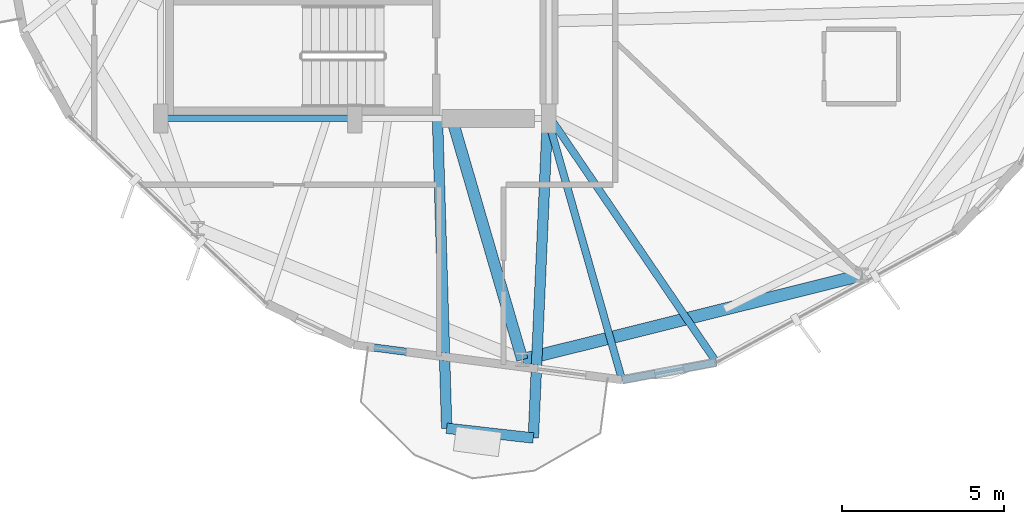
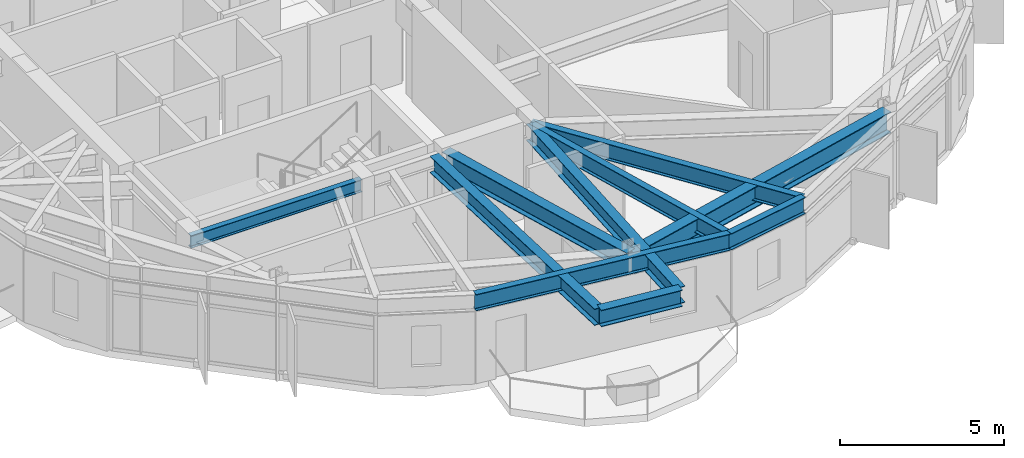
# One storey, part 4 of 23: 10 beams.
"""IFC4 building model written with IfcOpenShell, lengths in metres."""

from ifc_helpers import new_model, si_unit, direction, frame, origin, origin_2d, place, context, subcontext, project, spatial, i_section, extrude, material, material_profile, profile_set, type_object, element, save


model = new_model("IFC4")

# Units and contexts
model_context = context("Model", 3, precision=1e-05, world=origin(), true_north=direction((0.0, 1.0)))
body_context = subcontext(model_context, "Body", "Model", "MODEL_VIEW")
ifc_project = project(units=[si_unit("LENGTHUNIT", "METRE"), si_unit("AREAUNIT", "SQUARE_METRE"), si_unit("VOLUMEUNIT", "CUBIC_METRE"), si_unit("PLANEANGLEUNIT", "RADIAN"), si_unit("MASSUNIT", "GRAM", prefix="KILO")], contexts=[model_context])

# Site, building, storey
site_placement = place(None, origin())
site = spatial("IfcSite", under=ifc_project, at=site_placement, CompositionType="ELEMENT")
building_placement = place(site_placement, origin())
building = spatial("IfcBuilding", under=site, at=building_placement, Name="Soratama Intermodal Tower", CompositionType="ELEMENT")
storey_placement = place(building_placement, frame((0.0, 0.0, 139.0)))
storey = spatial("IfcBuildingStorey", under=building, at=storey_placement, Name="L33", CompositionType="ELEMENT", Elevation=139.0)

# Beams
ifc_material_1 = material(Name="Structural steel ASTM A992 Grade 50", Category="steel")
ifc_material_profile_1 = material_profile(ifc_material_1, i_section(OverallWidth=0.324951171875, OverallDepth=0.615966796875, WebThickness=0.013916015625, FlangeThickness=0.021484375, FilletRadius=0.013916015625, at=origin_2d()), Name="W24X117")
ifc_profile_set_1 = profile_set([ifc_material_profile_1], Name="Structural steel ASTM A992 Grade 50")
beam_type_1 = type_object("IfcBeamType", Name="BM-CANT-W24X117", PredefinedType="BEAM", material=ifc_profile_set_1)
beam_1_placement = place(storey_placement, frame((41.44189453125, 5.424072265625, 2.991943359375), z_axis=(0.993736978265, -0.111744431756, 0.0), x_axis=(0.111744431756, 0.993736978265, 0.0)))
element("IfcBeam", 1, at=beam_1_placement, inside=storey, type_object=beam_type_1, Name="BM-L33-CBHDR-4", PredefinedType="BEAM", context=body_context, shape_type="SweptSolid", body=[
    extrude(i_section(OverallWidth=0.324951171875, OverallDepth=0.615966796875, WebThickness=0.013916015625, FlangeThickness=0.021484375, FilletRadius=0.013916015625, at=origin_2d()), origin(), (0.0, 0.0, 1.0), 2.69384765625),
])
beam_2_placement = place(storey_placement, frame((41.158935546875, 14.9599609375, 2.991943359375), z_axis=(0.029660003905, -0.999560045304, 0.0), x_axis=(0.999560045304, 0.029660003905, 0.0)))
element("IfcBeam", 2, at=beam_2_placement, inside=storey, type_object=beam_type_1, Name="BM-L33-CANT-4-1", PredefinedType="BEAM", context=body_context, shape_type="SweptSolid", body=[
    extrude(i_section(OverallWidth=0.324951171875, OverallDepth=0.615966796875, WebThickness=0.013916015625, FlangeThickness=0.021484375, FilletRadius=0.013916015625, at=origin_2d()), origin(), (0.0, 0.0, 1.0), 9.5400390625),
])
beam_3_placement = place(storey_placement, frame((44.554931640625, 14.9599609375, 2.991943359375), z_axis=(-0.044282934257, -0.999019029715, 0.0), x_axis=(0.999019029715, -0.044282934257, 0.0)))
element("IfcBeam", 3, at=beam_3_placement, inside=storey, type_object=beam_type_1, Name="BM-L33-CANT-4-2", PredefinedType="BEAM", context=body_context, shape_type="SweptSolid", body=[
    extrude(i_section(OverallWidth=0.324951171875, OverallDepth=0.615966796875, WebThickness=0.013916015625, FlangeThickness=0.021484375, FilletRadius=0.013916015625, at=origin_2d()), origin(), (0.0, 0.0, 1.0), 9.8466796875),
])
ifc_material_2 = material(Name="Structural steel ASTM A992 Grade 50", Category="steel")
ifc_material_profile_2 = material_profile(ifc_material_2, i_section(OverallWidth=0.19091796875, OverallDepth=0.4599609375, WebThickness=0.010009765625, FlangeThickness=0.01611328125, FilletRadius=0.010986328125, at=origin_2d()), Name="W18X55")
ifc_profile_set_2 = profile_set([ifc_material_profile_2], Name="Structural steel ASTM A992 Grade 50")
beam_type_2 = type_object("IfcBeamType", Name="BM-FLR-W18X55", PredefinedType="BEAM", material=ifc_profile_set_2)
beam_4_placement = place(storey_placement, frame((32.60009765625, 15.0, 3.070068359375), z_axis=(1.0, 0.0, 0.0), x_axis=(0.0, 1.0, 0.0)))
element("IfcBeam", 4, at=beam_4_placement, inside=storey, type_object=beam_type_2, Name="BM-L33-CRING-01", PredefinedType="BEAM", context=body_context, shape_type="SweptSolid", body=[
    extrude(i_section(OverallWidth=0.19091796875, OverallDepth=0.4599609375, WebThickness=0.010009765625, FlangeThickness=0.01611328125, FilletRadius=0.010986328125, at=origin_2d()), origin(), (0.0, 0.0, 1.0), 6.0),
])
ifc_material_3 = material(Name="Structural steel ASTM A992 Grade 50", Category="steel")
ifc_material_profile_3 = material_profile(ifc_material_3, i_section(OverallWidth=0.35498046875, OverallDepth=0.695068359375, WebThickness=0.015380859375, FlangeThickness=0.02490234375, FilletRadius=0.01611328125, at=origin_2d()), Name="W27X146")
ifc_profile_set_3 = profile_set([ifc_material_profile_3], Name="Structural steel ASTM A992 Grade 50")
beam_type_3 = type_object("IfcBeamType", Name="BM-RING-W27X146", PredefinedType="BEAM", material=ifc_profile_set_3)
beam_5_placement = place(storey_placement, frame((41.60009765625, 15.0, 2.952392578125), z_axis=(0.280473008484, -0.959861912731, 0.0), x_axis=(0.959861912731, 0.280473008484, 0.0)))
element("IfcBeam", 5, at=beam_5_placement, inside=storey, type_object=beam_type_3, Name="BM-L33-RAD-08", PredefinedType="BEAM", context=body_context, shape_type="SweptSolid", body=[
    extrude(i_section(OverallWidth=0.35498046875, OverallDepth=0.695068359375, WebThickness=0.015380859375, FlangeThickness=0.02490234375, FilletRadius=0.01611328125, at=origin_2d()), origin(), (0.0, 0.0, 1.0), 7.768798828125),
])
ifc_material_4 = material(Name="Structural steel ASTM A992 Grade 50", Category="steel")
ifc_material_profile_4 = material_profile(ifc_material_4, i_section(OverallWidth=0.382080078125, OverallDepth=0.779052734375, WebThickness=0.01806640625, FlangeThickness=0.030029296875, FilletRadius=0.01806640625, at=origin_2d()), Name="W30X191")
ifc_profile_set_4 = profile_set([ifc_material_profile_4], Name="Structural steel ASTM A992 Grade 50")
beam_type_4 = type_object("IfcBeamType", Name="BM-RING-W30X191", PredefinedType="BEAM", material=ifc_profile_set_4)
beam_6_placement = place(storey_placement, frame((43.779052734375, 7.54296875, 2.910400390625), z_axis=(0.970310893227, 0.241861056155, 0.0), x_axis=(-0.241861056155, 0.970310893227, 0.0)))
element("IfcBeam", 6, at=beam_6_placement, inside=storey, type_object=beam_type_4, Name="BM-L33-RING-08", PredefinedType="BEAM", context=body_context, shape_type="SweptSolid", body=[
    extrude(i_section(OverallWidth=0.382080078125, OverallDepth=0.779052734375, WebThickness=0.01806640625, FlangeThickness=0.030029296875, FilletRadius=0.01806640625, at=origin_2d()), origin(), (0.0, 0.0, 1.0), 10.81591796875),
])
ifc_material_5 = material(Name="Structural steel ASTM A992 Grade 50", Category="steel")
ifc_material_profile_5 = material_profile(ifc_material_5, i_section(OverallWidth=0.22900390625, OverallDepth=0.612060546875, WebThickness=0.011962890625, FlangeThickness=0.01953125, FilletRadius=0.012939453125, at=origin_2d()), Name="W24X84")
ifc_profile_set_5 = profile_set([ifc_material_profile_5], Name="Structural steel ASTM A992 Grade 50")
beam_type_5 = type_object("IfcBeamType", Name="BM-SPN-W24X84", PredefinedType="SPANDREL", material=ifc_profile_set_5)
beam_7_placement = place(storey_placement, frame((38.556884765625, 8.001953125, 2.993896484375), z_axis=(0.991574710592, -0.129536069548, 0.0), x_axis=(0.129536069548, 0.991574710592, 0.0)))
element("IfcBeam", 7, at=beam_7_placement, inside=storey, type_object=beam_type_5, Name="BS-L33-F07", PredefinedType="SPANDREL", context=body_context, shape_type="SweptSolid", body=[
    extrude(i_section(OverallWidth=0.22900390625, OverallDepth=0.612060546875, WebThickness=0.011962890625, FlangeThickness=0.01953125, FilletRadius=0.012939453125, at=origin_2d()), origin(), (0.0, 0.0, 1.0), 8.375732421875),
])
beam_8_placement = place(storey_placement, frame((46.862060546875, 6.9169921875, 2.993896484375), z_axis=(0.983054268062, 0.18331477312, 0.0), x_axis=(-0.18331477312, 0.983054268062, 0.0)))
element("IfcBeam", 8, at=beam_8_placement, inside=storey, type_object=beam_type_5, Name="BS-L33-CRN07", PredefinedType="SPANDREL", context=body_context, shape_type="SweptSolid", body=[
    extrude(i_section(OverallWidth=0.22900390625, OverallDepth=0.612060546875, WebThickness=0.011962890625, FlangeThickness=0.01953125, FilletRadius=0.012939453125, at=origin_2d()), origin(), (0.0, 0.0, 1.0), 2.96728515625),
])
ifc_material_6 = material(Name="Structural steel ASTM A992 Grade 50", Category="steel")
ifc_material_profile_6 = material_profile(ifc_material_6, i_section(OverallWidth=0.22900390625, OverallDepth=0.612060546875, WebThickness=0.011962890625, FlangeThickness=0.01953125, FilletRadius=0.012939453125, at=origin_2d()), Name="W24X84")
ifc_profile_set_6 = profile_set([ifc_material_profile_6], Name="Structural steel ASTM A992 Grade 50")
beam_type_6 = type_object("IfcBeamType", Name="BM-TIE-W24X84", PredefinedType="BEAM", material=ifc_profile_set_6)
beam_9_placement = place(storey_placement, frame((44.573974609375, 14.9619140625, 2.993896484375), z_axis=(0.273564362506, -0.961853699669, 0.0), x_axis=(0.961853699669, 0.273564362506, 0.0)))
element("IfcBeam", 9, at=beam_9_placement, inside=storey, type_object=beam_type_6, Name="BM-L33-TIE1-07", PredefinedType="BEAM", context=body_context, shape_type="SweptSolid", body=[
    extrude(i_section(OverallWidth=0.22900390625, OverallDepth=0.612060546875, WebThickness=0.011962890625, FlangeThickness=0.01953125, FilletRadius=0.012939453125, at=origin_2d()), origin(), (0.0, 0.0, 1.0), 8.364013671875),
])
beam_10_placement = place(storey_placement, frame((44.623046875, 15.035888671875, 2.993896484375), z_axis=(0.5626860052, -0.826670708052, 0.0), x_axis=(0.826670708052, 0.5626860052, 0.0)))
element("IfcBeam", 10, at=beam_10_placement, inside=storey, type_object=beam_type_6, Name="BM-L33-TIE0-08", PredefinedType="BEAM", context=body_context, shape_type="SweptSolid", body=[
    extrude(i_section(OverallWidth=0.22900390625, OverallDepth=0.612060546875, WebThickness=0.011962890625, FlangeThickness=0.01953125, FilletRadius=0.012939453125, at=origin_2d()), origin(), (0.0, 0.0, 1.0), 9.1630859375),
])

save(model, "model.ifc")
